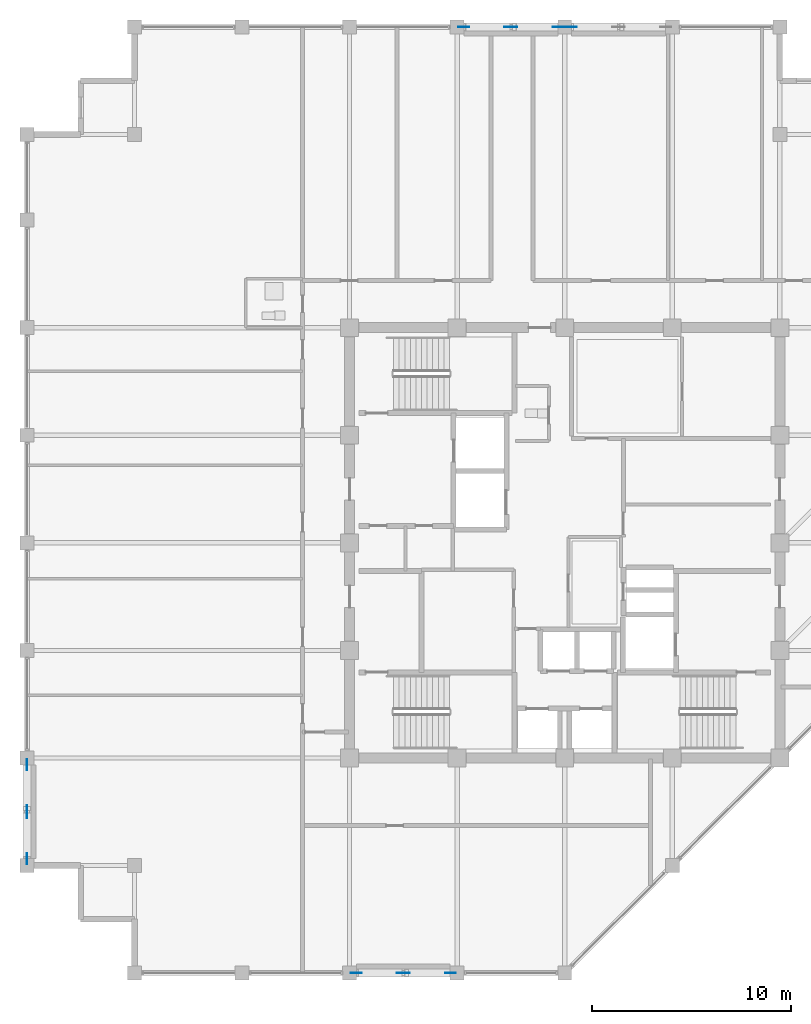
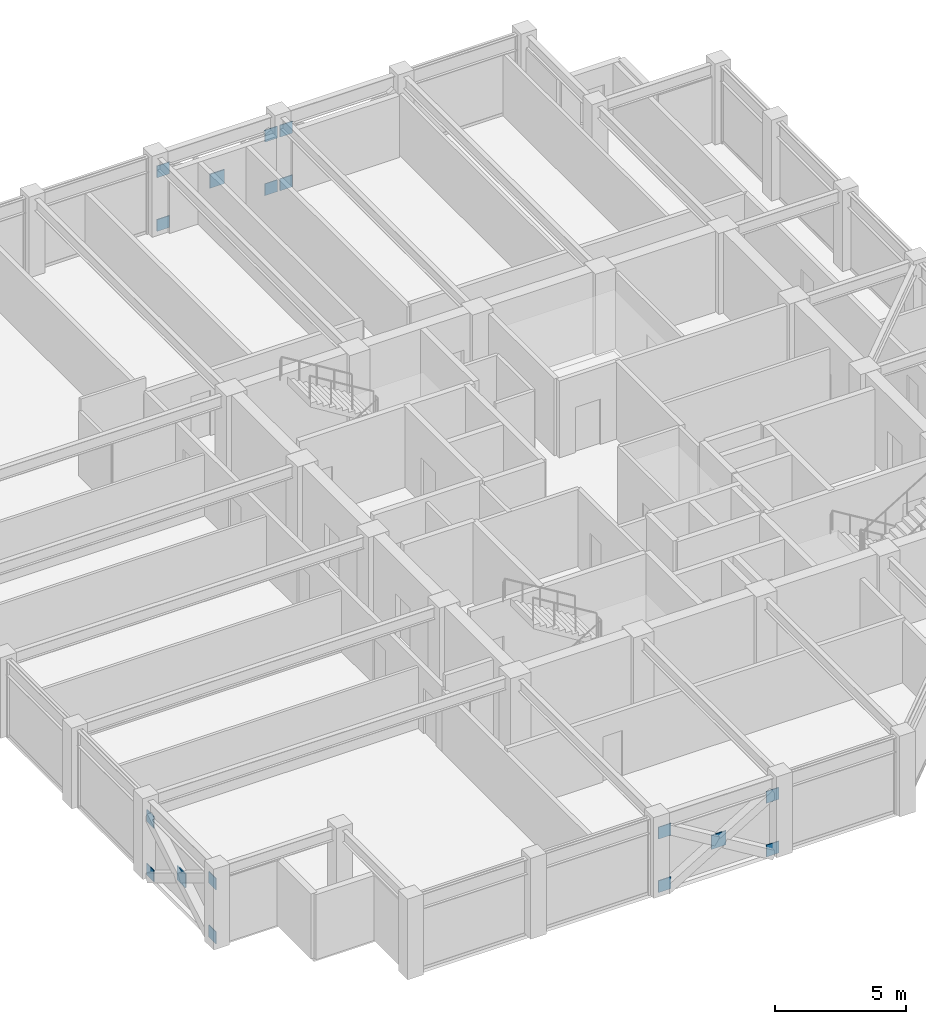
# One storey, part 24 of 31: 17 plates.
"""IFC4 building model written with IfcOpenShell, lengths in metres."""

from ifc_helpers import new_model, si_unit, direction, frame, origin, origin_2d, place, context, subcontext, project, spatial, rectangle, extrude, material, layer, layer_set, type_object, element, save


model = new_model("IFC4")

# Units and contexts
model_context = context("Model", 3, precision=1e-05, world=origin(), true_north=direction((0.0, 1.0)))
body_context = subcontext(model_context, "Body", "Model", "MODEL_VIEW")
ifc_project = project(units=[si_unit("LENGTHUNIT", "METRE"), si_unit("AREAUNIT", "SQUARE_METRE"), si_unit("VOLUMEUNIT", "CUBIC_METRE"), si_unit("PLANEANGLEUNIT", "RADIAN"), si_unit("MASSUNIT", "GRAM", prefix="KILO")], contexts=[model_context])

# Site, building, storey
site_placement = place(None, origin())
site = spatial("IfcSite", under=ifc_project, at=site_placement, CompositionType="ELEMENT")
building_placement = place(site_placement, origin())
building = spatial("IfcBuilding", under=site, at=building_placement, Name="Surkhivell Harbour Commons", CompositionType="ELEMENT")
storey_placement = place(building_placement, frame((0.0, 0.0, 288.75)))
storey = spatial("IfcBuildingStorey", under=building, at=storey_placement, Name="L75", CompositionType="ELEMENT", Elevation=288.75)

# Plates
ifc_material = material(Name="Steel S460", Category="steel")
ifc_layer_1 = layer(ifc_material, 0.035888671875)
ifc_layer_set_1 = layer_set([ifc_layer_1], Name="Steel S460")
plate_type_1 = type_object("IfcPlateType", Name="PLT-GUS-550", PredefinedType="USERDEFINED", material=ifc_layer_set_1)
for number, where, z_axis, x_axis, name in (
    (1, (-5.06494140625, 25.89990234375, -0.07470703125), (0.0, 0.0, 1.0), (1.0, 0.0, 0.0), "L75 Perimeter Mega-Brace MB- Corner Gusset N-1"),
    (2, (-0.3349609375, 25.89990234375, -0.07470703125), (0.0, 0.0, 1.0), (1.0, 0.0, 0.0), "L75 Perimeter Mega-Brace MB- Corner Gusset N-2"),
    (3, (-5.06494140625, 25.89990234375, 2.41357421875), (0.0, 0.0, 1.0), (1.0, 0.0, 0.0), "L75 Perimeter Mega-Brace MB- Corner Gusset N-3"),
    (4, (-0.3349609375, 25.89990234375, 2.41357421875), (0.0, 0.0, 1.0), (1.0, 0.0, 0.0), "L75 Perimeter Mega-Brace MB- Corner Gusset N-4"),
    (5, (0.3349609375, 25.89990234375, -0.07470703125), (0.0, 0.0, 1.0), (1.0, 0.0, 0.0), "L75 Perimeter Mega-Brace MB- Corner Gusset N2-1"),
    (6, (0.3349609375, 25.89990234375, 2.41357421875), (0.0, 0.0, 1.0), (1.0, 0.0, 0.0), "L75 Perimeter Mega-Brace MB- Corner Gusset N2-3"),
    (7, (-10.465087890625, -21.60009765625, -0.07470703125), (0.0, 0.0, 1.0), (1.0, 0.0, 0.0), "L75 Perimeter Mega-Brace MB- Corner Gusset S-1"),
    (8, (-5.735107421875, -21.60009765625, -0.07470703125), (0.0, 0.0, 1.0), (1.0, 0.0, 0.0), "L75 Perimeter Mega-Brace MB- Corner Gusset S-2"),
    (9, (-10.465087890625, -21.60009765625, 2.41357421875), (0.0, 0.0, 1.0), (1.0, 0.0, 0.0), "L75 Perimeter Mega-Brace MB- Corner Gusset S-3"),
    (10, (-5.735107421875, -21.60009765625, 2.41357421875), (0.0, 0.0, 1.0), (1.0, 0.0, 0.0), "L75 Perimeter Mega-Brace MB- Corner Gusset S-4"),
    (11, (-27.0, -15.864990234375, -0.07470703125), (0.0, 0.0, 1.0), (0.0, 1.0, 0.0), "L75 Perimeter Mega-Brace MB- Corner Gusset W-1"),
    (12, (-27.0, -11.135009765625, -0.07470703125), (0.0, 0.0, 1.0), (0.0, 1.0, 0.0), "L75 Perimeter Mega-Brace MB- Corner Gusset W-2"),
    (13, (-27.0, -15.864990234375, 2.41357421875), (0.0, 0.0, 1.0), (0.0, 1.0, 0.0), "L75 Perimeter Mega-Brace MB- Corner Gusset W-3"),
    (14, (-27.0, -11.135009765625, 2.41357421875), (0.0, 0.0, 1.0), (0.0, 1.0, 0.0), "L75 Perimeter Mega-Brace MB- Corner Gusset W-4"),
):
    element("IfcPlate", number, at=place(storey_placement, frame(where, z_axis=z_axis, x_axis=x_axis)), inside=storey, type_object=plate_type_1, Name=name, ObjectType="GUSSET_PLATE", PredefinedType="USERDEFINED", context=body_context, shape_type="SweptSolid", body=[
        extrude(rectangle(XDim=0.550048828125, YDim=0.035888671875, at=origin_2d()), origin(), (0.0, 0.0, 1.0), 0.550048828125),
    ])
ifc_layer_2 = layer(ifc_material, 0.044921875)
ifc_layer_set_2 = layer_set([ifc_layer_2], Name="Steel S460")
plate_type_2 = type_object("IfcPlateType", Name="PLT-GUS-650", PredefinedType="USERDEFINED", material=ifc_layer_set_2)
for number, where, z_axis, x_axis, name in (
    (15, (-2.699951171875, 25.89990234375, 1.11962890625), (0.0, 0.0, 1.0), (1.0, 0.0, 0.0), "L75 Perimeter Mega-Brace MB- Central Crossing Gusset N"),
    (16, (-8.10009765625, -21.60009765625, 1.11962890625), (0.0, 0.0, 1.0), (1.0, 0.0, 0.0), "L75 Perimeter Mega-Brace MB- Central Crossing Gusset S"),
    (17, (-27.0, -13.5, 1.11962890625), (0.0, 0.0, 1.0), (0.0, 1.0, 0.0), "L75 Perimeter Mega-Brace MB- Central Crossing Gusset W"),
):
    element("IfcPlate", number, at=place(storey_placement, frame(where, z_axis=z_axis, x_axis=x_axis)), inside=storey, type_object=plate_type_2, Name=name, ObjectType="GUSSET_PLATE", PredefinedType="USERDEFINED", context=body_context, shape_type="SweptSolid", body=[
        extrude(rectangle(XDim=0.64990234375, YDim=0.044921875, at=origin_2d()), origin(), (0.0, 0.0, 1.0), 0.64990234375),
    ])

save(model, "model.ifc")
